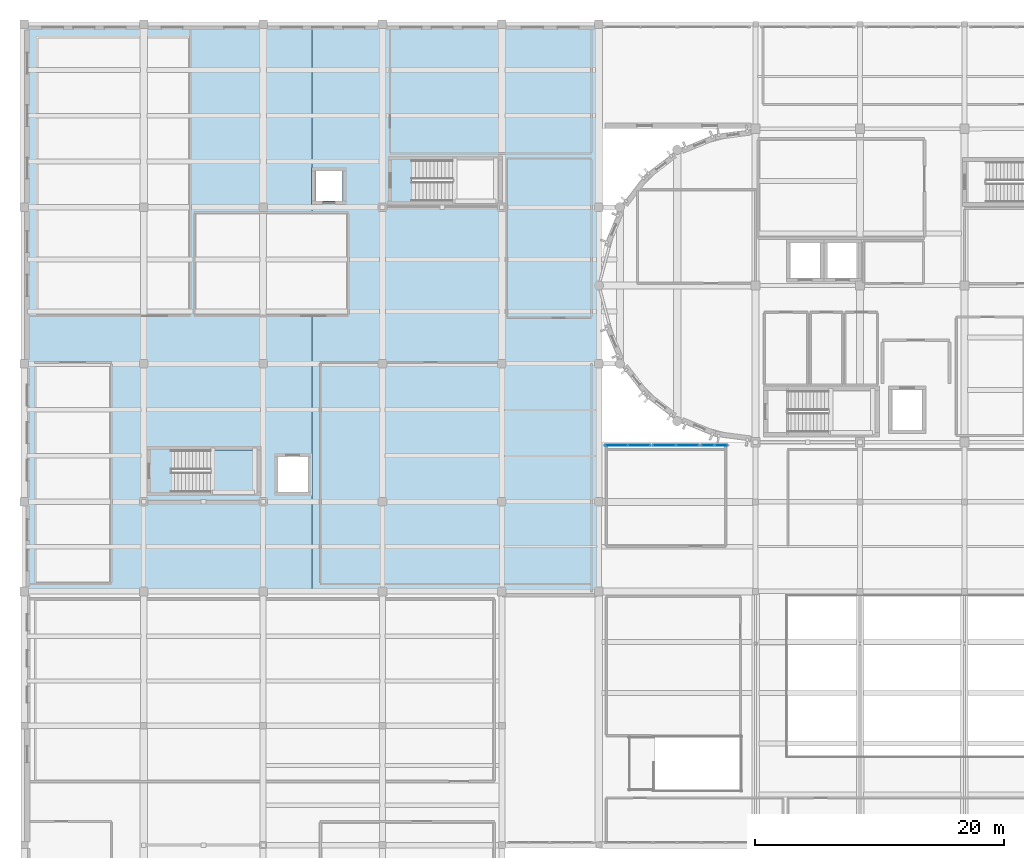
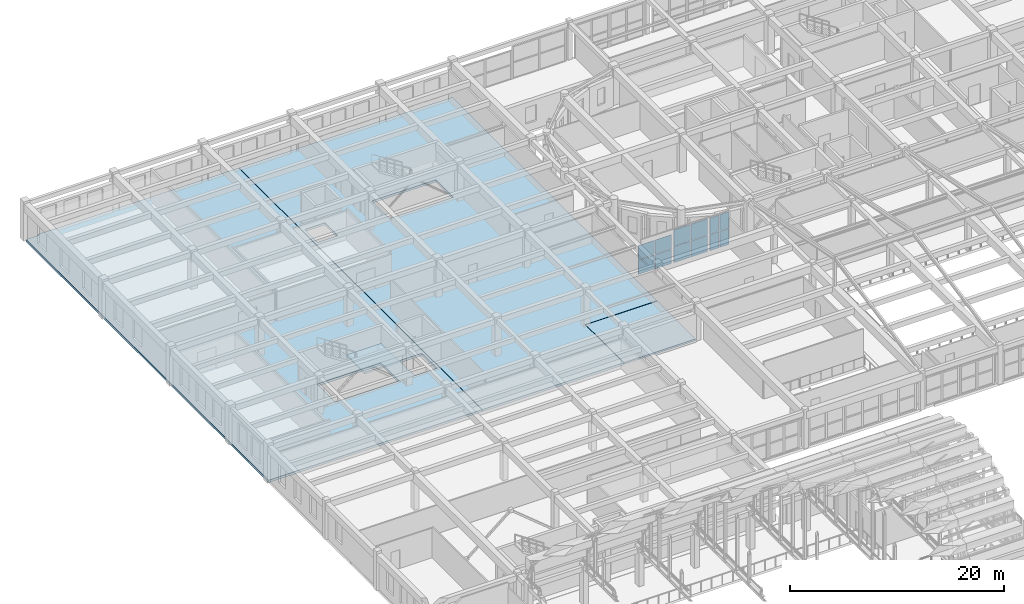
# One storey, part 61 of 91: 12 plates, 4 slabs, 4 elements without a shape of their own.
"""IFC4 building model written with IfcOpenShell, lengths in metres."""

from ifc_helpers import new_model, si_unit, direction, frame, origin, origin_2d, place, context, subcontext, project, spatial, polyline, rectangle, outline, extrude, material, layer, layer_set, type_object, element, aggregate, save


model = new_model("IFC4")

# Units and contexts
model_context = context("Model", 3, precision=1e-05, world=origin(), true_north=direction((0.0, 1.0)))
body_context = subcontext(model_context, "Body", "Model", "MODEL_VIEW")
ifc_project = project(units=[si_unit("LENGTHUNIT", "METRE"), si_unit("AREAUNIT", "SQUARE_METRE"), si_unit("VOLUMEUNIT", "CUBIC_METRE"), si_unit("PLANEANGLEUNIT", "RADIAN"), si_unit("MASSUNIT", "GRAM", prefix="KILO")], contexts=[model_context])

# Site, building, storey
site_placement = place(None, origin())
site = spatial("IfcSite", under=ifc_project, at=site_placement, CompositionType="ELEMENT")
building_placement = place(site_placement, origin())
building = spatial("IfcBuilding", under=site, at=building_placement, Name="Tarnavel Promenade Courthouse", CompositionType="ELEMENT")
storey_placement = place(building_placement, frame((0.0, 0.0, 9.89990234375)))
storey = spatial("IfcBuildingStorey", under=building, at=storey_placement, Name="L03", CompositionType="ELEMENT", Elevation=9.89990234375)

# Slab
ifc_material_1 = material(Name="Concrete C35/45", Category="concrete")
ifc_layer_1 = layer(ifc_material_1, 0.195068359375)
ifc_layer_set_1 = layer_set([ifc_layer_1], Name="Concrete C35/45")
slab_type_1 = type_object("IfcSlabType", Name="Concrete C35/45 SLB-RF-195 (195 mm)", PredefinedType="ROOF", material=ifc_layer_set_1)
slab_1_placement = place(storey_placement, frame((0.0, 0.0, -0.19482421875)))
element("IfcSlab", 1, at=slab_1_placement, inside=storey, type_object=slab_type_1, Name="L03 West Link Bridge Insulated Roof", PredefinedType="ROOF", context=body_context, shape_type="SweptSolid", body=[
    extrude(outline(polyline([(38.419921875, 67.219970703125), (46.179931640625, 67.219970703125), (46.179931640625, 74.3798828125), (38.419921875, 74.3798828125), (38.419921875, 67.219970703125)])), origin(), (0.0, 0.0, 1.0), 0.19482421875),
])

# Stair, slab
stair_type = type_object("IfcStairType", Name="Concrete C35/45 Half-Turn Stair STR-09 (1580W-290G-24R)", PredefinedType="HALF_TURN_STAIR", material=ifc_material_1)
stair_placement = place(storey_placement, origin())
stair = element("IfcStair", 2, at=stair_placement, inside=storey, type_object=stair_type, Name="L03 Trial Courts West Exit Stair", PredefinedType="HALF_TURN_STAIR")
ifc_layer_2 = layer(ifc_material_1, 0.205078125)
ifc_layer_set_2 = layer_set([ifc_layer_2], Name="Concrete C35/45")
slab_type_2 = type_object("IfcSlabType", Name="Concrete C35/45 Stair Landing SLB-LND-205 (205 mm)", PredefinedType="LANDING", material=ifc_layer_set_2)
slab_2_placement = place(storey_placement, frame((0.0, 0.0, 2.050048828125)))
slab_2 = element("IfcSlab", 3, at=slab_2_placement, type_object=slab_type_2, Name="ST-04 landing 1", PredefinedType="LANDING", context=body_context, shape_type="SweptSolid", body=[
    extrude(outline(polyline([(14.969970703125, 75.199951171875), (18.699951171875, 75.199951171875), (18.699951171875, 78.56005859375), (14.969970703125, 78.56005859375), (14.969970703125, 75.199951171875)])), origin(), (0.0, 0.0, 1.0), 0.199951171875),
])
aggregate(stair, [slab_2])

# Slabs
ifc_material_2 = material(Name="Concrete C40/50", Category="concrete")
ifc_layer_3 = layer(ifc_material_2, 0.260009765625)
ifc_layer_set_3 = layer_set([ifc_layer_3], Name="Concrete C40/50")
slab_type_3 = type_object("IfcSlabType", Name="Concrete C40/50 SLB-PT-260 (260 mm)", PredefinedType="FLOOR", material=ifc_layer_set_3)
slab_3_placement = place(storey_placement, frame((0.0, 0.0, -0.260009765625)))
element("IfcSlab", 4, at=slab_3_placement, inside=storey, type_object=slab_type_3, Name="L03 Trial Courtrooms W PT Floor Slab", PredefinedType="FLOOR", context=body_context, shape_type="SweptSolid", body=[
    extrude(outline(polyline([(0.0, 67.219970703125), (23.080078125, 67.219970703125), (23.080078125, 112.800048828125), (1.39990234375, 112.800048828125), (1.39990234375, 112.639892578125), (0.0, 112.639892578125), (0.0, 67.219970703125)]), holes=[polyline([(11.824951171875, 75.199951171875), (18.699951171875, 75.199951171875), (18.699951171875, 78.56005859375), (11.824951171875, 78.56005859375), (11.824951171875, 75.199951171875)]), polyline([(20.39990234375, 75.199951171875), (22.800048828125, 75.199951171875), (22.800048828125, 78.0), (20.39990234375, 78.0), (20.39990234375, 75.199951171875)])]), origin(), (0.0, 0.0, 1.0), 0.260009765625),
])
slab_4_placement = place(storey_placement, frame((0.0, 0.0, -0.260009765625)))
element("IfcSlab", 5, at=slab_4_placement, inside=storey, type_object=slab_type_3, Name="L03 Trial Courtrooms E PT Floor Slab", PredefinedType="FLOOR", context=body_context, shape_type="SweptSolid", body=[
    extrude(outline(polyline([(23.1201171875, 67.219970703125), (38.3798828125, 67.219970703125), (38.3798828125, 74.419921875), (46.179931640625, 74.419921875), (46.179931640625, 112.800048828125), (23.1201171875, 112.800048828125), (23.1201171875, 67.219970703125)]), holes=[polyline([(31.18505859375, 98.60009765625), (38.10009765625, 98.60009765625), (38.10009765625, 101.8798828125), (31.18505859375, 101.8798828125), (31.18505859375, 98.60009765625)]), polyline([(23.39990234375, 98.60009765625), (25.60009765625, 98.60009765625), (25.60009765625, 101.0), (23.39990234375, 101.0), (23.39990234375, 98.60009765625)])]), origin(), (0.0, 0.0, 1.0), 0.260009765625),
])

# Curtain wall, plates
ifc_material_3 = material(Name="Thermally Broken Anodised Aluminium Curtain Wall System", Category="aluminium")
ifc_layer_4 = layer(ifc_material_3, 0.2099609375)
ifc_layer_set_4 = layer_set([ifc_layer_4], Name="Thermally Broken Anodised Aluminium Curtain Wall System")
curtain_wall_type = type_object("IfcCurtainWallType", Name="Thermally Broken Aluminium Triple-Glazed Curtain Wall CW-WG-N", PredefinedType="NOTDEFINED", material=ifc_layer_set_4)
curtain_wall_1_placement = place(storey_placement, origin())
curtain_wall_1 = element("IfcCurtainWall", 6, at=curtain_wall_1_placement, inside=storey, type_object=curtain_wall_type, Name="L03 Winter-Garden North Curtain Wall 114", PredefinedType="NOTDEFINED")
ifc_material_4 = material(Name="Triple Low-E Argon Insulated Glazing", Category="glass")
ifc_layer_5 = layer(ifc_material_4, 0.048095703125)
ifc_layer_set_5 = layer_set([ifc_layer_5], Name="Triple Low-E Argon Insulated Glazing")
plate_type = type_object("IfcPlateType", Name="Triple Low-E Argon Insulated Glazing Unit CWP-48 (48 mm)", PredefinedType="CURTAIN_PANEL", material=ifc_layer_set_5)
plate_1_placement = place(storey_placement, frame((47.607421875, 78.949951171875, 0.06982421875), z_axis=(0.0, 0.0, 1.0), x_axis=(1.0, 0.0, 0.0)))
plate_1 = element("IfcPlate", 7, at=plate_1_placement, type_object=plate_type, Name="CW-03 panel 1.1", PredefinedType="CURTAIN_PANEL", context=body_context, shape_type="SweptSolid", body=[
    extrude(rectangle(XDim=1.7548828125, YDim=0.048095703125, at=origin_2d()), origin(), (0.0, 0.0, 1.0), 1.610107421875),
])
plate_2_placement = place(storey_placement, frame((47.607421875, 78.949951171875, 1.75), z_axis=(0.0, 0.0, 1.0), x_axis=(1.0, 0.0, 0.0)))
plate_2 = element("IfcPlate", 8, at=plate_2_placement, type_object=plate_type, Name="CW-03 panel 1.2", PredefinedType="CURTAIN_PANEL", context=body_context, shape_type="SweptSolid", body=[
    extrude(rectangle(XDim=1.7548828125, YDim=0.048095703125, at=origin_2d()), origin(), (0.0, 0.0, 1.0), 1.610107421875),
])
plate_3_placement = place(storey_placement, frame((49.4423828125, 78.949951171875, 0.06982421875), z_axis=(0.0, 0.0, 1.0), x_axis=(1.0, 0.0, 0.0)))
plate_3 = element("IfcPlate", 9, at=plate_3_placement, type_object=plate_type, Name="CW-03 panel 2.1", PredefinedType="CURTAIN_PANEL", context=body_context, shape_type="SweptSolid", body=[
    extrude(rectangle(XDim=1.7548828125, YDim=0.048095703125, at=origin_2d()), origin(), (0.0, 0.0, 1.0), 1.610107421875),
])
plate_4_placement = place(storey_placement, frame((49.4423828125, 78.949951171875, 1.75), z_axis=(0.0, 0.0, 1.0), x_axis=(1.0, 0.0, 0.0)))
plate_4 = element("IfcPlate", 10, at=plate_4_placement, type_object=plate_type, Name="CW-03 panel 2.2", PredefinedType="CURTAIN_PANEL", context=body_context, shape_type="SweptSolid", body=[
    extrude(rectangle(XDim=1.7548828125, YDim=0.048095703125, at=origin_2d()), origin(), (0.0, 0.0, 1.0), 1.610107421875),
])
aggregate(curtain_wall_1, [plate_1, plate_2, plate_3, plate_4])

curtain_wall_2_placement = place(storey_placement, origin())
curtain_wall_2 = element("IfcCurtainWall", 11, at=curtain_wall_2_placement, inside=storey, type_object=curtain_wall_type, Name="L03 Winter-Garden North Curtain Wall 115", PredefinedType="NOTDEFINED")
plate_5_placement = place(storey_placement, frame((51.469970703125, 78.949951171875, 0.070068359375), z_axis=(0.0, 0.0, 1.0), x_axis=(1.0, 0.0, 0.0)))
plate_5 = element("IfcPlate", 12, at=plate_5_placement, type_object=plate_type, Name="CW-03 panel 1.1", PredefinedType="CURTAIN_PANEL", context=body_context, shape_type="SweptSolid", body=[
    extrude(rectangle(XDim=1.780029296875, YDim=0.048095703125, at=origin_2d()), origin(), (0.0, 0.0, 1.0), 1.8349609375),
])
plate_6_placement = place(storey_placement, frame((51.469970703125, 78.949951171875, 1.97509765625), z_axis=(0.0, 0.0, 1.0), x_axis=(1.0, 0.0, 0.0)))
plate_6 = element("IfcPlate", 13, at=plate_6_placement, type_object=plate_type, Name="CW-03 panel 1.2", PredefinedType="CURTAIN_PANEL", context=body_context, shape_type="SweptSolid", body=[
    extrude(rectangle(XDim=1.780029296875, YDim=0.048095703125, at=origin_2d()), origin(), (0.0, 0.0, 1.0), 1.8349609375),
])
plate_7_placement = place(storey_placement, frame((53.330078125, 78.949951171875, 0.070068359375), z_axis=(0.0, 0.0, 1.0), x_axis=(1.0, 0.0, 0.0)))
plate_7 = element("IfcPlate", 14, at=plate_7_placement, type_object=plate_type, Name="CW-03 panel 2.1", PredefinedType="CURTAIN_PANEL", context=body_context, shape_type="SweptSolid", body=[
    extrude(rectangle(XDim=1.780029296875, YDim=0.048095703125, at=origin_2d()), origin(), (0.0, 0.0, 1.0), 1.8349609375),
])
plate_8_placement = place(storey_placement, frame((53.330078125, 78.949951171875, 1.97509765625), z_axis=(0.0, 0.0, 1.0), x_axis=(1.0, 0.0, 0.0)))
plate_8 = element("IfcPlate", 15, at=plate_8_placement, type_object=plate_type, Name="CW-03 panel 2.2", PredefinedType="CURTAIN_PANEL", context=body_context, shape_type="SweptSolid", body=[
    extrude(rectangle(XDim=1.780029296875, YDim=0.048095703125, at=origin_2d()), origin(), (0.0, 0.0, 1.0), 1.8349609375),
])
aggregate(curtain_wall_2, [plate_5, plate_6, plate_7, plate_8])

curtain_wall_3_placement = place(storey_placement, origin())
curtain_wall_3 = element("IfcCurtainWall", 16, at=curtain_wall_3_placement, inside=storey, type_object=curtain_wall_type, Name="L03 Winter-Garden North Curtain Wall 116", PredefinedType="NOTDEFINED")
plate_9_placement = place(storey_placement, frame((54.969970703125, 78.949951171875, 0.070068359375), z_axis=(0.0, 0.0, 1.0), x_axis=(1.0, 0.0, 0.0)))
plate_9 = element("IfcPlate", 17, at=plate_9_placement, type_object=plate_type, Name="CW-03 panel 1.1", PredefinedType="CURTAIN_PANEL", context=body_context, shape_type="SweptSolid", body=[
    extrude(rectangle(XDim=0.97998046875, YDim=0.048095703125, at=origin_2d()), origin(), (0.0, 0.0, 1.0), 1.8349609375),
])
plate_10_placement = place(storey_placement, frame((54.969970703125, 78.949951171875, 1.97509765625), z_axis=(0.0, 0.0, 1.0), x_axis=(1.0, 0.0, 0.0)))
plate_10 = element("IfcPlate", 18, at=plate_10_placement, type_object=plate_type, Name="CW-03 panel 1.2", PredefinedType="CURTAIN_PANEL", context=body_context, shape_type="SweptSolid", body=[
    extrude(rectangle(XDim=0.97998046875, YDim=0.048095703125, at=origin_2d()), origin(), (0.0, 0.0, 1.0), 1.8349609375),
])
plate_11_placement = place(storey_placement, frame((56.030029296875, 78.949951171875, 0.070068359375), z_axis=(0.0, 0.0, 1.0), x_axis=(1.0, 0.0, 0.0)))
plate_11 = element("IfcPlate", 19, at=plate_11_placement, type_object=plate_type, Name="CW-03 panel 2.1", PredefinedType="CURTAIN_PANEL", context=body_context, shape_type="SweptSolid", body=[
    extrude(rectangle(XDim=0.97998046875, YDim=0.048095703125, at=origin_2d()), origin(), (0.0, 0.0, 1.0), 1.8349609375),
])
plate_12_placement = place(storey_placement, frame((56.030029296875, 78.949951171875, 1.97509765625), z_axis=(0.0, 0.0, 1.0), x_axis=(1.0, 0.0, 0.0)))
plate_12 = element("IfcPlate", 20, at=plate_12_placement, type_object=plate_type, Name="CW-03 panel 2.2", PredefinedType="CURTAIN_PANEL", context=body_context, shape_type="SweptSolid", body=[
    extrude(rectangle(XDim=0.97998046875, YDim=0.048095703125, at=origin_2d()), origin(), (0.0, 0.0, 1.0), 1.8349609375),
])
aggregate(curtain_wall_3, [plate_9, plate_10, plate_11, plate_12])

save(model, "model.ifc")
